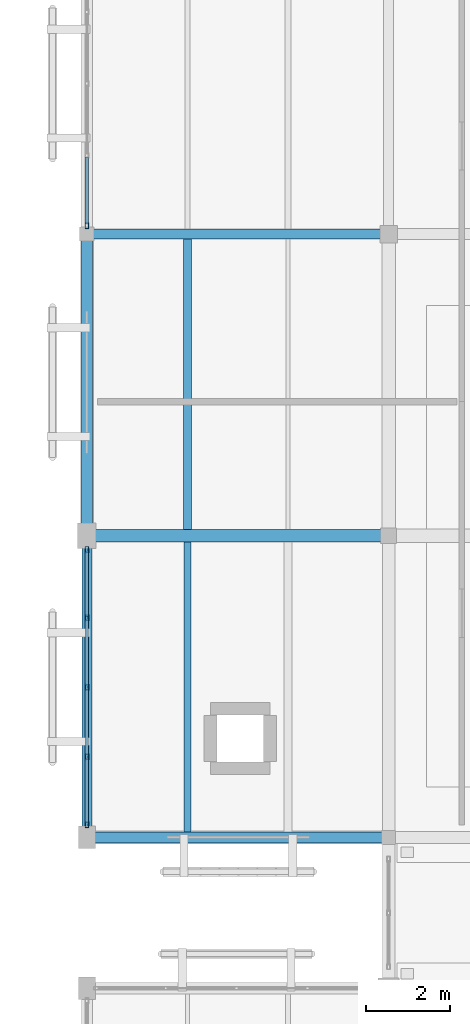
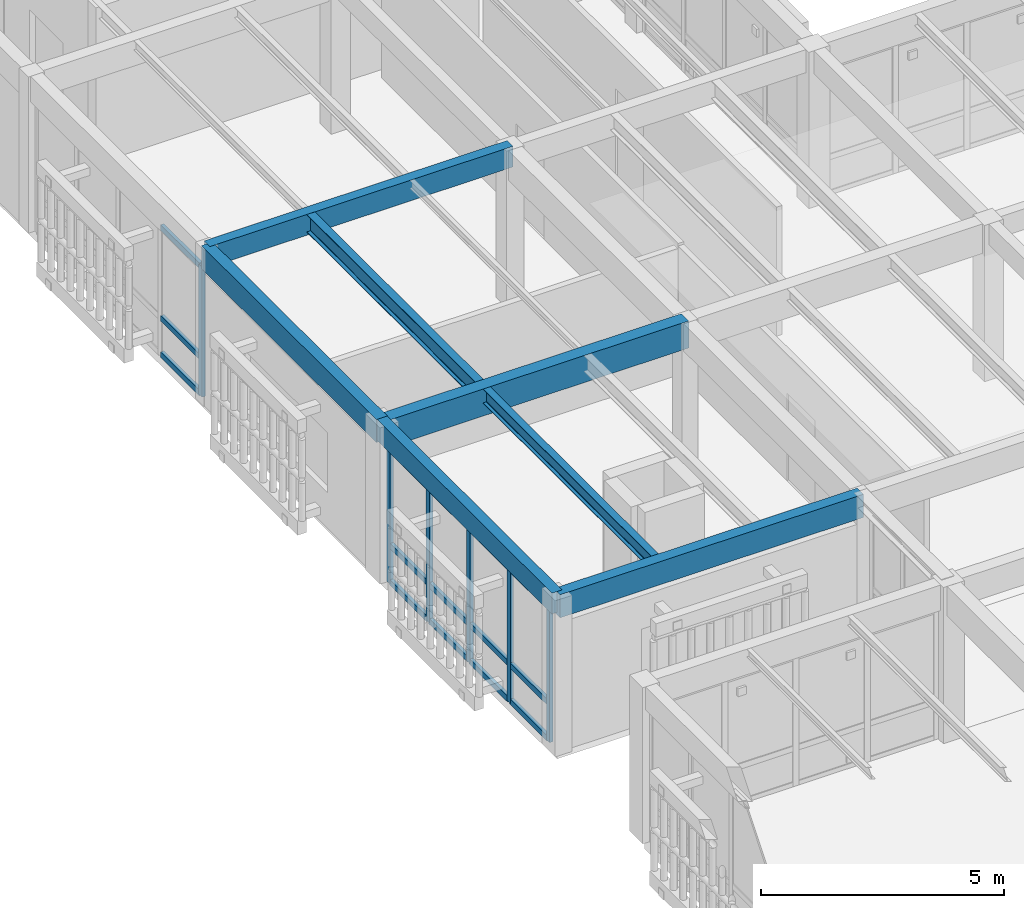
# One storey, part 53 of 217: 21 members, 7 beams, 2 elements without a shape of their own.
"""IFC4 building model written with IfcOpenShell, lengths in metres."""

from ifc_helpers import new_model, si_unit, direction, frame, origin, origin_2d, place, context, subcontext, project, spatial, rectangle, hollow_rectangle, i_section, extrude, material, layer, layer_set, material_profile, profile_set, type_object, element, aggregate, save


model = new_model("IFC4")

# Units and contexts
model_context = context("Model", 3, precision=1e-05, world=origin(), true_north=direction((0.0, 1.0)))
body_context = subcontext(model_context, "Body", "Model", "MODEL_VIEW")
ifc_project = project(units=[si_unit("LENGTHUNIT", "METRE"), si_unit("AREAUNIT", "SQUARE_METRE"), si_unit("VOLUMEUNIT", "CUBIC_METRE"), si_unit("PLANEANGLEUNIT", "RADIAN"), si_unit("MASSUNIT", "GRAM", prefix="KILO")], contexts=[model_context])

# Site, building, storey
site_placement = place(None, origin())
site = spatial("IfcSite", under=ifc_project, at=site_placement, CompositionType="ELEMENT")
building_placement = place(site_placement, origin())
building = spatial("IfcBuilding", under=site, at=building_placement, Name="Mazaris Harbour Polytechnic", CompositionType="ELEMENT")
storey_placement = place(building_placement, frame((0.0, 0.0, 9.60009765625)))
storey = spatial("IfcBuildingStorey", under=building, at=storey_placement, Name="L02", CompositionType="ELEMENT", Elevation=9.60009765625)

# Curtain wall, members
ifc_material_1 = material(Name="Anodised Bronze Aluminium and Low-E Glass", Category="aluminium")
ifc_layer = layer(ifc_material_1, 0.169921875, Name="Anodised Bronze Aluminium and Low-E Glass")
ifc_layer_set = layer_set([ifc_layer], Name="Anodised Bronze Aluminium and Low-E Glass")
curtain_wall_type = type_object("IfcCurtainWallType", Name="Studio North-Light Curtain Wall", PredefinedType="NOTDEFINED", material=ifc_layer_set)
curtain_wall_1_placement = place(storey_placement, origin())
curtain_wall_1 = element("IfcCurtainWall", 1, at=curtain_wall_1_placement, inside=storey, type_object=curtain_wall_type, Name="V5 L02 Curtain Wall 231", PredefinedType="NOTDEFINED")
ifc_material_2 = material(Name="Anodised Bronze Steel S355", Category="steel")
ifc_material_profile_1 = material_profile(ifc_material_2, hollow_rectangle(XDim=0.080078125, YDim=0.139892578125, WallThickness=0.00634765625, at=origin_2d()), Name="RHS 80x140x6.3")
ifc_profile_set_1 = profile_set([ifc_material_profile_1], Name="Anodised Bronze Steel S355")
member_type_1 = type_object("IfcMemberType", Name="Curtain Mullion RHS80x140", PredefinedType="MULLION", material=ifc_profile_set_1)
member_1_placement = place(storey_placement, frame((122.39990234375, 47.10205078125, 0.0), z_axis=(0.0, 0.0, 1.0), x_axis=(-1.0, 0.0, 0.0)))
member_1 = element("IfcMember", 2, at=member_1_placement, type_object=member_type_1, Name="CW-03 mullion 1", PredefinedType="MULLION", context=body_context, shape_type="SweptSolid", body=[
    extrude(hollow_rectangle(XDim=0.080078125, YDim=0.139892578125, WallThickness=0.00634765625, at=origin_2d()), origin(), (0.0, 0.0, 1.0), 3.389892578125),
])
member_2_placement = place(storey_placement, frame((122.39990234375, 48.723388671875, 0.0), z_axis=(0.0, 0.0, 1.0), x_axis=(-1.0, 0.0, 0.0)))
member_2 = element("IfcMember", 3, at=member_2_placement, type_object=member_type_1, Name="CW-03 mullion 2", PredefinedType="MULLION", context=body_context, shape_type="SweptSolid", body=[
    extrude(hollow_rectangle(XDim=0.080078125, YDim=0.139892578125, WallThickness=0.00634765625, at=origin_2d()), origin(), (0.0, 0.0, 1.0), 3.389892578125),
])
member_3_placement = place(storey_placement, frame((122.39990234375, 50.385009765625, 0.0), z_axis=(0.0, 0.0, 1.0), x_axis=(-1.0, 0.0, 0.0)))
member_3 = element("IfcMember", 4, at=member_3_placement, type_object=member_type_1, Name="CW-03 mullion 3", PredefinedType="MULLION", context=body_context, shape_type="SweptSolid", body=[
    extrude(hollow_rectangle(XDim=0.080078125, YDim=0.139892578125, WallThickness=0.00634765625, at=origin_2d()), origin(), (0.0, 0.0, 1.0), 3.389892578125),
])
member_4_placement = place(storey_placement, frame((122.39990234375, 52.04638671875, 0.0), z_axis=(0.0, 0.0, 1.0), x_axis=(-1.0, 0.0, 0.0)))
member_4 = element("IfcMember", 5, at=member_4_placement, type_object=member_type_1, Name="CW-03 mullion 4", PredefinedType="MULLION", context=body_context, shape_type="SweptSolid", body=[
    extrude(hollow_rectangle(XDim=0.080078125, YDim=0.139892578125, WallThickness=0.00634765625, at=origin_2d()), origin(), (0.0, 0.0, 1.0), 3.389892578125),
])
member_5_placement = place(storey_placement, frame((122.39990234375, 53.66796875, 0.0), z_axis=(0.0, 0.0, 1.0), x_axis=(-1.0, 0.0, 0.0)))
member_5 = element("IfcMember", 6, at=member_5_placement, type_object=member_type_1, Name="CW-03 mullion 5", PredefinedType="MULLION", context=body_context, shape_type="SweptSolid", body=[
    extrude(hollow_rectangle(XDim=0.080078125, YDim=0.139892578125, WallThickness=0.00634765625, at=origin_2d()), origin(), (0.0, 0.0, 1.0), 3.389892578125),
])

# Curtain wall, member
curtain_wall_2_placement = place(storey_placement, origin())
curtain_wall_2 = element("IfcCurtainWall", 7, at=curtain_wall_2_placement, inside=storey, type_object=curtain_wall_type, Name="V5 L02 Curtain Wall 232", PredefinedType="NOTDEFINED")
member_6_placement = place(storey_placement, frame((122.39990234375, 61.402099609375, 0.0), z_axis=(0.0, 0.0, 1.0), x_axis=(-1.0, 0.0, 0.0)))
member_6 = element("IfcMember", 8, at=member_6_placement, type_object=member_type_1, Name="CW-03 mullion 1", PredefinedType="MULLION", context=body_context, shape_type="SweptSolid", body=[
    extrude(hollow_rectangle(XDim=0.080078125, YDim=0.139892578125, WallThickness=0.00634765625, at=origin_2d()), origin(), (0.0, 0.0, 1.0), 3.27001953125),
])

# Member
ifc_material_3 = material(Name="Anodised Bronze Steel S355", Category="steel")
ifc_material_profile_2 = material_profile(ifc_material_3, hollow_rectangle(XDim=0.080078125, YDim=0.139892578125, WallThickness=0.00634765625, at=origin_2d()), Name="RHS 80x140x6.3")
ifc_profile_set_2 = profile_set([ifc_material_profile_2], Name="Anodised Bronze Steel S355")
member_type_2 = type_object("IfcMemberType", Name="Curtain Transom RHS80x140", PredefinedType="USERDEFINED", material=ifc_profile_set_2)
member_7_placement = place(storey_placement, frame((122.39990234375, 47.14208984375, 0.039794921875), z_axis=(0.0, 1.0, 0.0), x_axis=(-1.0, 0.0, 0.0)))
member_7 = element("IfcMember", 9, at=member_7_placement, type_object=member_type_2, Name="CW-03 transom 1.1", ObjectType="TRANSOM", PredefinedType="USERDEFINED", context=body_context, shape_type="SweptSolid", body=[
    extrude(hollow_rectangle(XDim=0.080078125, YDim=0.139892578125, WallThickness=0.00634765625, at=origin_2d()), origin(), (0.0, 0.0, 1.0), 1.54150390625),
])

member_8_placement = place(storey_placement, frame((122.39990234375, 47.14208984375, 0.949951171875), z_axis=(0.0, 1.0, 0.0), x_axis=(-1.0, 0.0, 0.0)))
member_8 = element("IfcMember", 10, at=member_8_placement, type_object=member_type_2, Name="CW-03 transom 1.2", ObjectType="TRANSOM", PredefinedType="USERDEFINED", context=body_context, shape_type="SweptSolid", body=[
    extrude(hollow_rectangle(XDim=0.080078125, YDim=0.139892578125, WallThickness=0.00634765625, at=origin_2d()), origin(), (0.0, 0.0, 1.0), 1.54150390625),
])

member_9_placement = place(storey_placement, frame((122.39990234375, 47.14208984375, 3.349853515625), z_axis=(0.0, 1.0, 0.0), x_axis=(-1.0, 0.0, 0.0)))
member_9 = element("IfcMember", 11, at=member_9_placement, type_object=member_type_2, Name="CW-03 transom 1.3", ObjectType="TRANSOM", PredefinedType="USERDEFINED", context=body_context, shape_type="SweptSolid", body=[
    extrude(hollow_rectangle(XDim=0.080078125, YDim=0.139892578125, WallThickness=0.00634765625, at=origin_2d()), origin(), (0.0, 0.0, 1.0), 1.54150390625),
])

member_10_placement = place(storey_placement, frame((122.39990234375, 48.763427734375, 0.039794921875), z_axis=(0.0, 1.0, 0.0), x_axis=(-1.0, 0.0, 0.0)))
member_10 = element("IfcMember", 12, at=member_10_placement, type_object=member_type_2, Name="CW-03 transom 2.1", ObjectType="TRANSOM", PredefinedType="USERDEFINED", context=body_context, shape_type="SweptSolid", body=[
    extrude(hollow_rectangle(XDim=0.080078125, YDim=0.139892578125, WallThickness=0.00634765625, at=origin_2d()), origin(), (0.0, 0.0, 1.0), 1.58154296875),
])

member_11_placement = place(storey_placement, frame((122.39990234375, 48.763427734375, 0.949951171875), z_axis=(0.0, 1.0, 0.0), x_axis=(-1.0, 0.0, 0.0)))
member_11 = element("IfcMember", 13, at=member_11_placement, type_object=member_type_2, Name="CW-03 transom 2.2", ObjectType="TRANSOM", PredefinedType="USERDEFINED", context=body_context, shape_type="SweptSolid", body=[
    extrude(hollow_rectangle(XDim=0.080078125, YDim=0.139892578125, WallThickness=0.00634765625, at=origin_2d()), origin(), (0.0, 0.0, 1.0), 1.58154296875),
])

member_12_placement = place(storey_placement, frame((122.39990234375, 48.763427734375, 3.349853515625), z_axis=(0.0, 1.0, 0.0), x_axis=(-1.0, 0.0, 0.0)))
member_12 = element("IfcMember", 14, at=member_12_placement, type_object=member_type_2, Name="CW-03 transom 2.3", ObjectType="TRANSOM", PredefinedType="USERDEFINED", context=body_context, shape_type="SweptSolid", body=[
    extrude(hollow_rectangle(XDim=0.080078125, YDim=0.139892578125, WallThickness=0.00634765625, at=origin_2d()), origin(), (0.0, 0.0, 1.0), 1.58154296875),
])

member_13_placement = place(storey_placement, frame((122.39990234375, 50.425048828125, 0.039794921875), z_axis=(0.0, 1.0, 0.0), x_axis=(-1.0, 0.0, 0.0)))
member_13 = element("IfcMember", 15, at=member_13_placement, type_object=member_type_2, Name="CW-03 transom 3.1", ObjectType="TRANSOM", PredefinedType="USERDEFINED", context=body_context, shape_type="SweptSolid", body=[
    extrude(hollow_rectangle(XDim=0.080078125, YDim=0.139892578125, WallThickness=0.00634765625, at=origin_2d()), origin(), (0.0, 0.0, 1.0), 1.58154296875),
])

member_14_placement = place(storey_placement, frame((122.39990234375, 50.425048828125, 0.949951171875), z_axis=(0.0, 1.0, 0.0), x_axis=(-1.0, 0.0, 0.0)))
member_14 = element("IfcMember", 16, at=member_14_placement, type_object=member_type_2, Name="CW-03 transom 3.2", ObjectType="TRANSOM", PredefinedType="USERDEFINED", context=body_context, shape_type="SweptSolid", body=[
    extrude(hollow_rectangle(XDim=0.080078125, YDim=0.139892578125, WallThickness=0.00634765625, at=origin_2d()), origin(), (0.0, 0.0, 1.0), 1.58154296875),
])

member_15_placement = place(storey_placement, frame((122.39990234375, 50.425048828125, 3.349853515625), z_axis=(0.0, 1.0, 0.0), x_axis=(-1.0, 0.0, 0.0)))
member_15 = element("IfcMember", 17, at=member_15_placement, type_object=member_type_2, Name="CW-03 transom 3.3", ObjectType="TRANSOM", PredefinedType="USERDEFINED", context=body_context, shape_type="SweptSolid", body=[
    extrude(hollow_rectangle(XDim=0.080078125, YDim=0.139892578125, WallThickness=0.00634765625, at=origin_2d()), origin(), (0.0, 0.0, 1.0), 1.58154296875),
])

member_16_placement = place(storey_placement, frame((122.39990234375, 52.08642578125, 0.039794921875), z_axis=(0.0, 1.0, 0.0), x_axis=(-1.0, 0.0, 0.0)))
member_16 = element("IfcMember", 18, at=member_16_placement, type_object=member_type_2, Name="CW-03 transom 4.1", ObjectType="TRANSOM", PredefinedType="USERDEFINED", context=body_context, shape_type="SweptSolid", body=[
    extrude(hollow_rectangle(XDim=0.080078125, YDim=0.139892578125, WallThickness=0.00634765625, at=origin_2d()), origin(), (0.0, 0.0, 1.0), 1.54150390625),
])

member_17_placement = place(storey_placement, frame((122.39990234375, 52.08642578125, 0.949951171875), z_axis=(0.0, 1.0, 0.0), x_axis=(-1.0, 0.0, 0.0)))
member_17 = element("IfcMember", 19, at=member_17_placement, type_object=member_type_2, Name="CW-03 transom 4.2", ObjectType="TRANSOM", PredefinedType="USERDEFINED", context=body_context, shape_type="SweptSolid", body=[
    extrude(hollow_rectangle(XDim=0.080078125, YDim=0.139892578125, WallThickness=0.00634765625, at=origin_2d()), origin(), (0.0, 0.0, 1.0), 1.54150390625),
])

member_18_placement = place(storey_placement, frame((122.39990234375, 52.08642578125, 3.349853515625), z_axis=(0.0, 1.0, 0.0), x_axis=(-1.0, 0.0, 0.0)))
member_18 = element("IfcMember", 20, at=member_18_placement, type_object=member_type_2, Name="CW-03 transom 4.3", ObjectType="TRANSOM", PredefinedType="USERDEFINED", context=body_context, shape_type="SweptSolid", body=[
    extrude(hollow_rectangle(XDim=0.080078125, YDim=0.139892578125, WallThickness=0.00634765625, at=origin_2d()), origin(), (0.0, 0.0, 1.0), 1.54150390625),
])

aggregate(curtain_wall_1, [member_1, member_2, member_3, member_4, member_5, member_7, member_8, member_9, member_10, member_11, member_12, member_13, member_14, member_15, member_16, member_17, member_18])

member_19_placement = place(storey_placement, frame((122.39990234375, 61.44189453125, 0.039794921875), z_axis=(0.0, 1.0, 0.0), x_axis=(-1.0, 0.0, 0.0)))
member_19 = element("IfcMember", 21, at=member_19_placement, type_object=member_type_2, Name="CW-03 transom 1.1", ObjectType="TRANSOM", PredefinedType="USERDEFINED", context=body_context, shape_type="SweptSolid", body=[
    extrude(hollow_rectangle(XDim=0.080078125, YDim=0.139892578125, WallThickness=0.00634765625, at=origin_2d()), origin(), (0.0, 0.0, 1.0), 1.593994140625),
])

member_20_placement = place(storey_placement, frame((122.39990234375, 61.44189453125, 0.949951171875), z_axis=(0.0, 1.0, 0.0), x_axis=(-1.0, 0.0, 0.0)))
member_20 = element("IfcMember", 22, at=member_20_placement, type_object=member_type_2, Name="CW-03 transom 1.2", ObjectType="TRANSOM", PredefinedType="USERDEFINED", context=body_context, shape_type="SweptSolid", body=[
    extrude(hollow_rectangle(XDim=0.080078125, YDim=0.139892578125, WallThickness=0.00634765625, at=origin_2d()), origin(), (0.0, 0.0, 1.0), 1.593994140625),
])

member_21_placement = place(storey_placement, frame((122.39990234375, 61.44189453125, 3.22998046875), z_axis=(0.0, 1.0, 0.0), x_axis=(-1.0, 0.0, 0.0)))
member_21 = element("IfcMember", 23, at=member_21_placement, type_object=member_type_2, Name="CW-03 transom 1.3", ObjectType="TRANSOM", PredefinedType="USERDEFINED", context=body_context, shape_type="SweptSolid", body=[
    extrude(hollow_rectangle(XDim=0.080078125, YDim=0.139892578125, WallThickness=0.00634765625, at=origin_2d()), origin(), (0.0, 0.0, 1.0), 1.593994140625),
])

aggregate(curtain_wall_2, [member_6, member_19, member_20, member_21])

# Beams
ifc_material_4 = material(Name="Glulam GL32h", Category="wood")
ifc_material_profile_3 = material_profile(ifc_material_4, rectangle(XDim=0.239990234375, YDim=0.52001953125, at=origin_2d()), Name="RECT240x520")
ifc_profile_set_3 = profile_set([ifc_material_profile_3], Name="Glulam GL32h")
beam_type_1 = type_object("IfcBeamType", Name="Glulam Girder 240x520", PredefinedType="BEAM", material=ifc_profile_set_3)
beam_1_placement = place(storey_placement, frame((122.39990234375, 61.199951171875, 3.659912109375), z_axis=(1.0, 0.0, 0.0), x_axis=(0.0, 1.0, 0.0)))
element("IfcBeam", 24, at=beam_1_placement, inside=storey, type_object=beam_type_1, Name="V5 L02 Girder 3130", PredefinedType="BEAM", context=body_context, shape_type="SweptSolid", body=[
    extrude(rectangle(XDim=0.239990234375, YDim=0.52001953125, at=origin_2d()), origin(), (0.0, 0.0, 1.0), 7.2001953125),
])
ifc_material_5 = material(Name="Glulam GL32h", Category="wood")
ifc_material_profile_4 = material_profile(ifc_material_5, rectangle(XDim=0.239990234375, YDim=0.52001953125, at=origin_2d()), Name="RECT240x520")
ifc_profile_set_4 = profile_set([ifc_material_profile_4], Name="Glulam GL32h")
beam_type_2 = type_object("IfcBeamType", Name="Glulam Girder 240x520 Exterior", PredefinedType="BEAM", material=ifc_profile_set_4)
beam_2_placement = place(storey_placement, frame((122.39990234375, 46.800048828125, 3.659912109375), z_axis=(0.0, 1.0, 0.0), x_axis=(-1.0, 0.0, 0.0)))
element("IfcBeam", 25, at=beam_2_placement, inside=storey, type_object=beam_type_2, Name="V5 L02 Tie Girder 3170", PredefinedType="BEAM", context=body_context, shape_type="SweptSolid", body=[
    extrude(rectangle(XDim=0.239990234375, YDim=0.52001953125, at=origin_2d()), origin(), (0.0, 0.0, 1.0), 7.199951171875),
])
ifc_material_6 = material(Name="Glulam GL32h", Category="wood")
ifc_material_profile_5 = material_profile(ifc_material_6, rectangle(XDim=0.260009765625, YDim=0.580078125, at=origin_2d()), Name="RECT260x580")
ifc_profile_set_5 = profile_set([ifc_material_profile_5], Name="Glulam GL32h")
beam_type_3 = type_object("IfcBeamType", Name="Glulam Girder 260x580 Exterior", PredefinedType="BEAM", material=ifc_profile_set_5)
beam_3_placement = place(storey_placement, frame((122.39990234375, 46.800048828125, 3.6298828125), z_axis=(1.0, 0.0, 0.0), x_axis=(0.0, 1.0, 0.0)))
element("IfcBeam", 26, at=beam_3_placement, inside=storey, type_object=beam_type_3, Name="V5 L02 Girder 3116", PredefinedType="BEAM", context=body_context, shape_type="SweptSolid", body=[
    extrude(rectangle(XDim=0.260009765625, YDim=0.580078125, at=origin_2d()), origin(), (0.0, 0.0, 1.0), 7.2001953125),
])
beam_4_placement = place(storey_placement, frame((122.39990234375, 54.0, 3.6298828125), z_axis=(0.0, 1.0, 0.0), x_axis=(-1.0, 0.0, 0.0)))
element("IfcBeam", 27, at=beam_4_placement, inside=storey, type_object=beam_type_3, Name="V5 L02 Tie Girder 3171", PredefinedType="BEAM", context=body_context, shape_type="SweptSolid", body=[
    extrude(rectangle(XDim=0.260009765625, YDim=0.580078125, at=origin_2d()), origin(), (0.0, 0.0, 1.0), 7.199951171875),
])
ifc_material_7 = material(Name="Glulam GL32h", Category="wood")
ifc_material_profile_6 = material_profile(ifc_material_7, rectangle(XDim=0.300048828125, YDim=0.679931640625, at=origin_2d()), Name="RECT300x680")
ifc_profile_set_6 = profile_set([ifc_material_profile_6], Name="Glulam GL32h")
beam_type_4 = type_object("IfcBeamType", Name="Glulam Girder 300x680", PredefinedType="BEAM", material=ifc_profile_set_6)
beam_5_placement = place(storey_placement, frame((122.39990234375, 54.0, 3.579833984375), z_axis=(1.0, 0.0, 0.0), x_axis=(0.0, 1.0, 0.0)))
element("IfcBeam", 28, at=beam_5_placement, inside=storey, type_object=beam_type_4, Name="V5 L02 Girder 3123", PredefinedType="BEAM", context=body_context, shape_type="SweptSolid", body=[
    extrude(rectangle(XDim=0.300048828125, YDim=0.679931640625, at=origin_2d()), origin(), (0.0, 0.0, 1.0), 7.2001953125),
])
ifc_material_8 = material(Name="Steel S355", Category="steel")
ifc_material_profile_7 = material_profile(ifc_material_8, i_section(OverallWidth=0.169921875, OverallDepth=0.360107421875, WebThickness=0.008056640625, FlangeThickness=0.0126953125, FilletRadius=0.01806640625, at=origin_2d()), Name="IPE 360")
ifc_profile_set_7 = profile_set([ifc_material_profile_7], Name="Steel S355")
beam_type_5 = type_object("IfcBeamType", Name="Steel Joist IPE360", PredefinedType="JOIST", material=ifc_profile_set_7)
beam_6_placement = place(storey_placement, frame((124.800048828125, 46.929931640625, 3.739990234375), z_axis=(0.0, 1.0, 0.0), x_axis=(-1.0, 0.0, 0.0)))
element("IfcBeam", 29, at=beam_6_placement, inside=storey, type_object=beam_type_5, Name="V5 L02 Floor Joist 3224", PredefinedType="JOIST", context=body_context, shape_type="SweptSolid", body=[
    extrude(i_section(OverallWidth=0.169921875, OverallDepth=0.360107421875, WebThickness=0.008056640625, FlangeThickness=0.0126953125, FilletRadius=0.01806640625, at=origin_2d()), origin(), (0.0, 0.0, 1.0), 6.920166015625),
])
ifc_material_9 = material(Name="Steel S355", Category="steel")
ifc_material_profile_8 = material_profile(ifc_material_9, i_section(OverallWidth=0.18994140625, OverallDepth=0.449951171875, WebThickness=0.009521484375, FlangeThickness=0.0146484375, FilletRadius=0.02099609375, at=origin_2d()), Name="IPE 450")
ifc_profile_set_8 = profile_set([ifc_material_profile_8], Name="Steel S355")
beam_type_6 = type_object("IfcBeamType", Name="Steel Joist IPE450", PredefinedType="JOIST", material=ifc_profile_set_8)
beam_7_placement = place(storey_placement, frame((124.800048828125, 54.14990234375, 3.69482421875), z_axis=(0.0, 1.0, 0.0), x_axis=(-1.0, 0.0, 0.0)))
element("IfcBeam", 30, at=beam_7_placement, inside=storey, type_object=beam_type_6, Name="V5 L02 Floor Joist 3226", PredefinedType="JOIST", context=body_context, shape_type="SweptSolid", body=[
    extrude(i_section(OverallWidth=0.18994140625, OverallDepth=0.449951171875, WebThickness=0.009521484375, FlangeThickness=0.0146484375, FilletRadius=0.02099609375, at=origin_2d()), origin(), (0.0, 0.0, 1.0), 6.93017578125),
])

save(model, "model.ifc")
